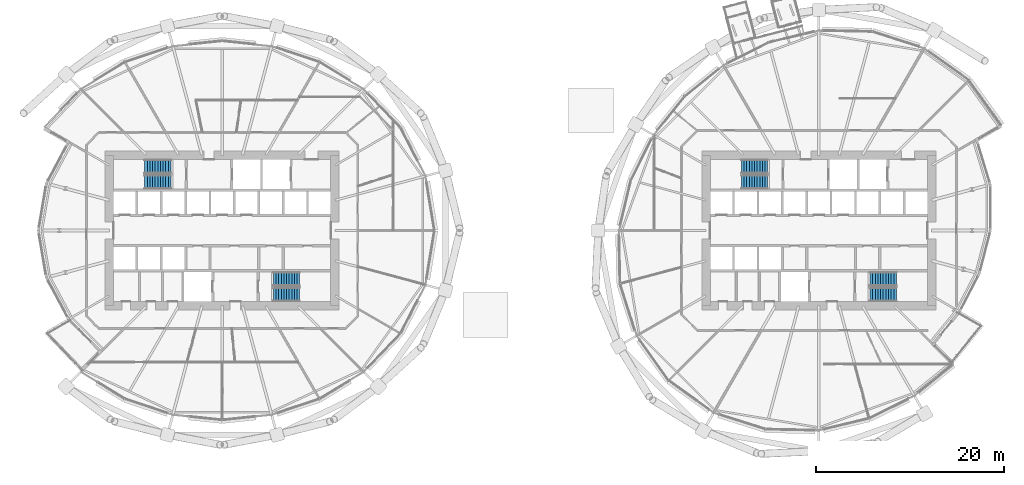
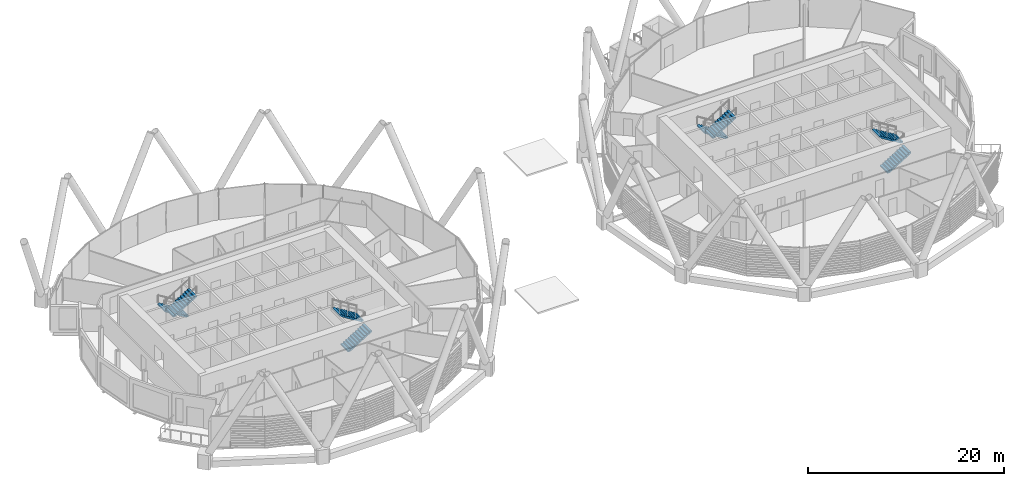
# One storey, part 28 of 34: 8 stair flights, 4 elements without a shape of their own.
"""IFC4 building model written with IfcOpenShell, lengths in metres."""

from ifc_helpers import new_model, si_unit, direction, frame, origin, place, context, subcontext, project, spatial, polyline, outline, extrude, material, type_object, element, aggregate, save


model = new_model("IFC4")

# Units and contexts
model_context = context("Model", 3, precision=1e-05, world=origin(), true_north=direction((0.0, 1.0)))
body_context = subcontext(model_context, "Body", "Model", "MODEL_VIEW")
ifc_project = project(units=[si_unit("LENGTHUNIT", "METRE"), si_unit("AREAUNIT", "SQUARE_METRE"), si_unit("VOLUMEUNIT", "CUBIC_METRE"), si_unit("PLANEANGLEUNIT", "RADIAN"), si_unit("MASSUNIT", "GRAM", prefix="KILO")], contexts=[model_context])

# Site, building, storey
site_placement = place(None, origin())
site = spatial("IfcSite", under=ifc_project, at=site_placement, CompositionType="ELEMENT")
building_placement = place(site_placement, origin())
building = spatial("IfcBuilding", under=site, at=building_placement, Name="Rimbun Link Towers", CompositionType="ELEMENT")
storey_placement = place(building_placement, frame((0.0, 0.0, 41.39990234375)))
storey = spatial("IfcBuildingStorey", under=building, at=storey_placement, Name="L09", CompositionType="ELEMENT", Elevation=41.39990234375)

# Stair, stair flights
ifc_material_1 = material(Name="Concrete C40/50", Category="concrete")
stair_type = type_object("IfcStairType", Name="Exit stair 3800 rise", PredefinedType="HALF_TURN_STAIR", material=ifc_material_1)
stair_1_placement = place(storey_placement, origin())
stair_1 = element("IfcStair", 1, at=stair_1_placement, inside=storey, type_object=stair_type, Name="L09 EXIT STAIR A", PredefinedType="HALF_TURN_STAIR")
ifc_material_2 = material(Name="Concrete C40/50", Category="concrete")
stair_flight_type = type_object("IfcStairFlightType", Name="Exit stair flight 3800 rise", PredefinedType="STRAIGHT", material=ifc_material_2)
stair_flight_1_placement = place(storey_placement, frame((-37.199951171875, 6.800048828125, 0.0), z_axis=(0.0, 0.0, 1.0), x_axis=(-1.0, 0.0, 0.0)))
stair_flight_1 = element("IfcStairFlight", 2, at=stair_flight_1_placement, type_object=stair_flight_type, Name="ST1 flight 1", NumberOfRisers=11, NumberOfTreads=10, PredefinedType="STRAIGHT", RiserHeight=0.172727273, TreadLength=0.28, context=body_context, shape_type="SweptSolid", body=[
    extrude(outline(polyline([(0.0, 0.0), (0.0, 0.172607421875), (0.280029296875, 0.172607421875), (0.280029296875, 0.345458984375), (0.56005859375, 0.345458984375), (0.56005859375, 0.51806640625), (0.840087890625, 0.51806640625), (0.840087890625, 0.69091796875), (1.1201171875, 0.69091796875), (1.1201171875, 0.863525390625), (1.39990234375, 0.863525390625), (1.39990234375, 1.036376953125), (1.679931640625, 1.036376953125), (1.679931640625, 1.208984375), (1.9599609375, 1.208984375), (1.9599609375, 1.3818359375), (2.239990234375, 1.3818359375), (2.239990234375, 1.554443359375), (2.52001953125, 1.554443359375), (2.52001953125, 1.727294921875), (2.800048828125, 1.727294921875), (2.800048828125, 1.89990234375), (2.800048828125, 1.551025390625), (0.280029296875, 0.0), (0.0, 0.0)])), frame((0.0, 0.75, 0.0), z_axis=(0.0, -1.0, 0.0), x_axis=(1.0, 0.0, 0.0)), (0.0, 0.0, 1.0), 1.5),
])
stair_flight_2_placement = place(storey_placement, frame((-40.0, 5.14990234375, 1.900146484375), z_axis=(0.0, 0.0, 1.0), x_axis=(1.0, 0.0, 0.0)))
stair_flight_2 = element("IfcStairFlight", 3, at=stair_flight_2_placement, type_object=stair_flight_type, Name="ST1 flight 2", NumberOfRisers=11, NumberOfTreads=10, PredefinedType="STRAIGHT", RiserHeight=0.172727273, TreadLength=0.28, context=body_context, shape_type="SweptSolid", body=[
    extrude(outline(polyline([(0.0, 0.0), (0.0, 0.172607421875), (0.280029296875, 0.172607421875), (0.280029296875, 0.345458984375), (0.56005859375, 0.345458984375), (0.56005859375, 0.51806640625), (0.840087890625, 0.51806640625), (0.840087890625, 0.69091796875), (1.1201171875, 0.69091796875), (1.1201171875, 0.863525390625), (1.39990234375, 0.863525390625), (1.39990234375, 1.036376953125), (1.679931640625, 1.036376953125), (1.679931640625, 1.208984375), (1.9599609375, 1.208984375), (1.9599609375, 1.3818359375), (2.239990234375, 1.3818359375), (2.239990234375, 1.554443359375), (2.52001953125, 1.554443359375), (2.52001953125, 1.727294921875), (2.800048828125, 1.727294921875), (2.800048828125, 1.89990234375), (2.800048828125, 1.551025390625), (0.280029296875, 0.0), (0.0, 0.0)])), frame((0.0, 0.75, 0.0), z_axis=(0.0, -1.0, 0.0), x_axis=(1.0, 0.0, 0.0)), (0.0, 0.0, 1.0), 1.5),
])
aggregate(stair_1, [stair_flight_1, stair_flight_2])

stair_2_placement = place(storey_placement, origin())
stair_2 = element("IfcStair", 4, at=stair_2_placement, inside=storey, type_object=stair_type, Name="L09 EXIT STAIR B", PredefinedType="HALF_TURN_STAIR")
stair_flight_3_placement = place(storey_placement, frame((-26.300048828125, -6.800048828125, 0.0), z_axis=(0.0, 0.0, 1.0), x_axis=(1.0, 0.0, 0.0)))
stair_flight_3 = element("IfcStairFlight", 5, at=stair_flight_3_placement, type_object=stair_flight_type, Name="ST2 flight 1", NumberOfRisers=11, NumberOfTreads=10, PredefinedType="STRAIGHT", RiserHeight=0.172727273, TreadLength=0.28, context=body_context, shape_type="SweptSolid", body=[
    extrude(outline(polyline([(0.0, 0.0), (0.0, 0.172607421875), (0.280029296875, 0.172607421875), (0.280029296875, 0.345458984375), (0.56005859375, 0.345458984375), (0.56005859375, 0.51806640625), (0.840087890625, 0.51806640625), (0.840087890625, 0.69091796875), (1.1201171875, 0.69091796875), (1.1201171875, 0.863525390625), (1.39990234375, 0.863525390625), (1.39990234375, 1.036376953125), (1.679931640625, 1.036376953125), (1.679931640625, 1.208984375), (1.9599609375, 1.208984375), (1.9599609375, 1.3818359375), (2.239990234375, 1.3818359375), (2.239990234375, 1.554443359375), (2.52001953125, 1.554443359375), (2.52001953125, 1.727294921875), (2.800048828125, 1.727294921875), (2.800048828125, 1.89990234375), (2.800048828125, 1.551025390625), (0.280029296875, 0.0), (0.0, 0.0)])), frame((0.0, 0.75, 0.0), z_axis=(0.0, -1.0, 0.0), x_axis=(1.0, 0.0, 0.0)), (0.0, 0.0, 1.0), 1.5),
])
stair_flight_4_placement = place(storey_placement, frame((-23.5, -5.14990234375, 1.900146484375), z_axis=(0.0, 0.0, 1.0), x_axis=(-1.0, 0.0, 0.0)))
stair_flight_4 = element("IfcStairFlight", 6, at=stair_flight_4_placement, type_object=stair_flight_type, Name="ST2 flight 2", NumberOfRisers=11, NumberOfTreads=10, PredefinedType="STRAIGHT", RiserHeight=0.172727273, TreadLength=0.28, context=body_context, shape_type="SweptSolid", body=[
    extrude(outline(polyline([(0.0, 0.0), (0.0, 0.172607421875), (0.280029296875, 0.172607421875), (0.280029296875, 0.345458984375), (0.56005859375, 0.345458984375), (0.56005859375, 0.51806640625), (0.840087890625, 0.51806640625), (0.840087890625, 0.69091796875), (1.1201171875, 0.69091796875), (1.1201171875, 0.863525390625), (1.39990234375, 0.863525390625), (1.39990234375, 1.036376953125), (1.679931640625, 1.036376953125), (1.679931640625, 1.208984375), (1.9599609375, 1.208984375), (1.9599609375, 1.3818359375), (2.239990234375, 1.3818359375), (2.239990234375, 1.554443359375), (2.52001953125, 1.554443359375), (2.52001953125, 1.727294921875), (2.800048828125, 1.727294921875), (2.800048828125, 1.89990234375), (2.800048828125, 1.551025390625), (0.280029296875, 0.0), (0.0, 0.0)])), frame((0.0, 0.75, 0.0), z_axis=(0.0, -1.0, 0.0), x_axis=(1.0, 0.0, 0.0)), (0.0, 0.0, 1.0), 1.5),
])
aggregate(stair_2, [stair_flight_3, stair_flight_4])

stair_3_placement = place(storey_placement, origin())
stair_3 = element("IfcStair", 7, at=stair_3_placement, inside=storey, type_object=stair_type, Name="L09 EXIT STAIR A", PredefinedType="HALF_TURN_STAIR")
stair_flight_5_placement = place(storey_placement, frame((26.300048828125, 6.800048828125, 0.0), z_axis=(0.0, 0.0, 1.0), x_axis=(-1.0, 0.0, 0.0)))
stair_flight_5 = element("IfcStairFlight", 8, at=stair_flight_5_placement, type_object=stair_flight_type, Name="ST3 flight 1", NumberOfRisers=11, NumberOfTreads=10, PredefinedType="STRAIGHT", RiserHeight=0.172727273, TreadLength=0.28, context=body_context, shape_type="SweptSolid", body=[
    extrude(outline(polyline([(0.0, 0.0), (0.0, 0.172607421875), (0.280029296875, 0.172607421875), (0.280029296875, 0.345458984375), (0.56005859375, 0.345458984375), (0.56005859375, 0.51806640625), (0.840087890625, 0.51806640625), (0.840087890625, 0.69091796875), (1.1201171875, 0.69091796875), (1.1201171875, 0.863525390625), (1.39990234375, 0.863525390625), (1.39990234375, 1.036376953125), (1.679931640625, 1.036376953125), (1.679931640625, 1.208984375), (1.9599609375, 1.208984375), (1.9599609375, 1.3818359375), (2.239990234375, 1.3818359375), (2.239990234375, 1.554443359375), (2.52001953125, 1.554443359375), (2.52001953125, 1.727294921875), (2.800048828125, 1.727294921875), (2.800048828125, 1.89990234375), (2.800048828125, 1.551025390625), (0.280029296875, 0.0), (0.0, 0.0)])), frame((0.0, 0.75, 0.0), z_axis=(0.0, -1.0, 0.0), x_axis=(1.0, 0.0, 0.0)), (0.0, 0.0, 1.0), 1.5),
])
stair_flight_6_placement = place(storey_placement, frame((23.5, 5.14990234375, 1.900146484375), z_axis=(0.0, 0.0, 1.0), x_axis=(1.0, 0.0, 0.0)))
stair_flight_6 = element("IfcStairFlight", 9, at=stair_flight_6_placement, type_object=stair_flight_type, Name="ST3 flight 2", NumberOfRisers=11, NumberOfTreads=10, PredefinedType="STRAIGHT", RiserHeight=0.172727273, TreadLength=0.28, context=body_context, shape_type="SweptSolid", body=[
    extrude(outline(polyline([(0.0, 0.0), (0.0, 0.172607421875), (0.280029296875, 0.172607421875), (0.280029296875, 0.345458984375), (0.56005859375, 0.345458984375), (0.56005859375, 0.51806640625), (0.840087890625, 0.51806640625), (0.840087890625, 0.69091796875), (1.1201171875, 0.69091796875), (1.1201171875, 0.863525390625), (1.39990234375, 0.863525390625), (1.39990234375, 1.036376953125), (1.679931640625, 1.036376953125), (1.679931640625, 1.208984375), (1.9599609375, 1.208984375), (1.9599609375, 1.3818359375), (2.239990234375, 1.3818359375), (2.239990234375, 1.554443359375), (2.52001953125, 1.554443359375), (2.52001953125, 1.727294921875), (2.800048828125, 1.727294921875), (2.800048828125, 1.89990234375), (2.800048828125, 1.551025390625), (0.280029296875, 0.0), (0.0, 0.0)])), frame((0.0, 0.75, 0.0), z_axis=(0.0, -1.0, 0.0), x_axis=(1.0, 0.0, 0.0)), (0.0, 0.0, 1.0), 1.5),
])
aggregate(stair_3, [stair_flight_5, stair_flight_6])

stair_4_placement = place(storey_placement, origin())
stair_4 = element("IfcStair", 10, at=stair_4_placement, inside=storey, type_object=stair_type, Name="L09 EXIT STAIR B", PredefinedType="HALF_TURN_STAIR")
stair_flight_7_placement = place(storey_placement, frame((37.199951171875, -6.800048828125, 0.0), z_axis=(0.0, 0.0, 1.0), x_axis=(1.0, 0.0, 0.0)))
stair_flight_7 = element("IfcStairFlight", 11, at=stair_flight_7_placement, type_object=stair_flight_type, Name="ST4 flight 1", NumberOfRisers=11, NumberOfTreads=10, PredefinedType="STRAIGHT", RiserHeight=0.172727273, TreadLength=0.28, context=body_context, shape_type="SweptSolid", body=[
    extrude(outline(polyline([(0.0, 0.0), (0.0, 0.172607421875), (0.280029296875, 0.172607421875), (0.280029296875, 0.345458984375), (0.56005859375, 0.345458984375), (0.56005859375, 0.51806640625), (0.840087890625, 0.51806640625), (0.840087890625, 0.69091796875), (1.1201171875, 0.69091796875), (1.1201171875, 0.863525390625), (1.39990234375, 0.863525390625), (1.39990234375, 1.036376953125), (1.679931640625, 1.036376953125), (1.679931640625, 1.208984375), (1.9599609375, 1.208984375), (1.9599609375, 1.3818359375), (2.239990234375, 1.3818359375), (2.239990234375, 1.554443359375), (2.52001953125, 1.554443359375), (2.52001953125, 1.727294921875), (2.800048828125, 1.727294921875), (2.800048828125, 1.89990234375), (2.800048828125, 1.551025390625), (0.280029296875, 0.0), (0.0, 0.0)])), frame((0.0, 0.75, 0.0), z_axis=(0.0, -1.0, 0.0), x_axis=(1.0, 0.0, 0.0)), (0.0, 0.0, 1.0), 1.5),
])
stair_flight_8_placement = place(storey_placement, frame((40.0, -5.14990234375, 1.900146484375), z_axis=(0.0, 0.0, 1.0), x_axis=(-1.0, 0.0, 0.0)))
stair_flight_8 = element("IfcStairFlight", 12, at=stair_flight_8_placement, type_object=stair_flight_type, Name="ST4 flight 2", NumberOfRisers=11, NumberOfTreads=10, PredefinedType="STRAIGHT", RiserHeight=0.172727273, TreadLength=0.28, context=body_context, shape_type="SweptSolid", body=[
    extrude(outline(polyline([(0.0, 0.0), (0.0, 0.172607421875), (0.280029296875, 0.172607421875), (0.280029296875, 0.345458984375), (0.56005859375, 0.345458984375), (0.56005859375, 0.51806640625), (0.840087890625, 0.51806640625), (0.840087890625, 0.69091796875), (1.1201171875, 0.69091796875), (1.1201171875, 0.863525390625), (1.39990234375, 0.863525390625), (1.39990234375, 1.036376953125), (1.679931640625, 1.036376953125), (1.679931640625, 1.208984375), (1.9599609375, 1.208984375), (1.9599609375, 1.3818359375), (2.239990234375, 1.3818359375), (2.239990234375, 1.554443359375), (2.52001953125, 1.554443359375), (2.52001953125, 1.727294921875), (2.800048828125, 1.727294921875), (2.800048828125, 1.89990234375), (2.800048828125, 1.551025390625), (0.280029296875, 0.0), (0.0, 0.0)])), frame((0.0, 0.75, 0.0), z_axis=(0.0, -1.0, 0.0), x_axis=(1.0, 0.0, 0.0)), (0.0, 0.0, 1.0), 1.5),
])
aggregate(stair_4, [stair_flight_7, stair_flight_8])

save(model, "model.ifc")
